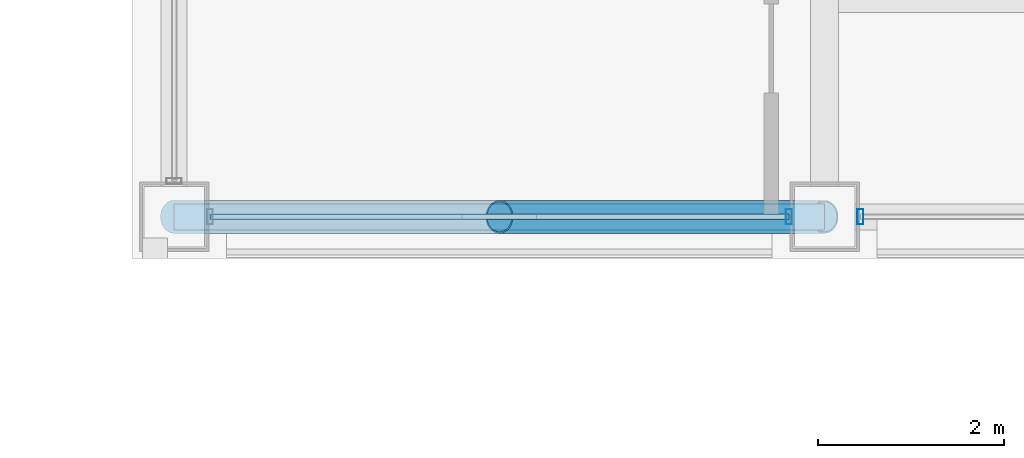
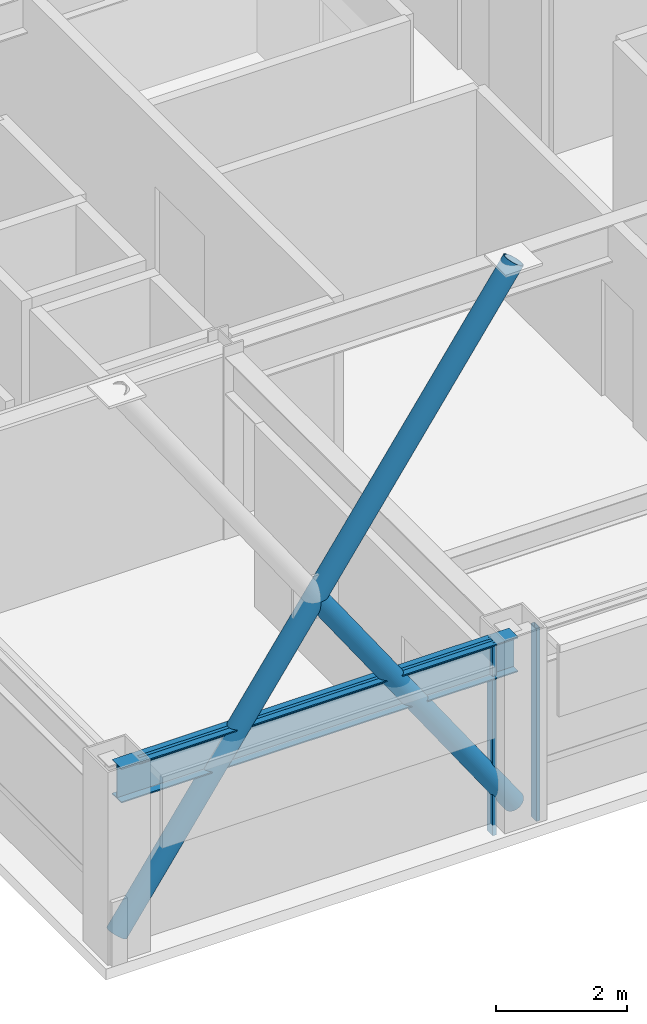
# One storey, part 3 of 32: 5 members, 1 beam, 2 elements without a shape of their own.
"""IFC4 building model written with IfcOpenShell, lengths in metres."""

from ifc_helpers import new_model, si_unit, direction, frame, origin, origin_2d, place, context, subcontext, project, spatial, hollow_rectangle, hollow_circle, i_section, extrude, material, layer, layer_set, material_profile, profile_set, type_object, element, aggregate, save


model = new_model("IFC4")

# Units and contexts
model_context = context("Model", 3, precision=1e-05, world=origin(), true_north=direction((0.0, 1.0)))
body_context = subcontext(model_context, "Body", "Model", "MODEL_VIEW")
ifc_project = project(units=[si_unit("LENGTHUNIT", "METRE"), si_unit("AREAUNIT", "SQUARE_METRE"), si_unit("VOLUMEUNIT", "CUBIC_METRE"), si_unit("PLANEANGLEUNIT", "RADIAN"), si_unit("MASSUNIT", "GRAM", prefix="KILO")], contexts=[model_context])

# Site, building, storey
site_placement = place(None, origin())
site = spatial("IfcSite", under=ifc_project, at=site_placement, CompositionType="ELEMENT")
building_placement = place(site_placement, origin())
building = spatial("IfcBuilding", under=site, at=building_placement, Name="Brelmoor Portico Tower", CompositionType="ELEMENT")
storey_placement = place(building_placement, frame((0.0, 0.0, 162.300048828125)))
storey = spatial("IfcBuildingStorey", under=building, at=storey_placement, Name="L42", CompositionType="ELEMENT", Elevation=162.300048828125)

# Beam
ifc_material_1 = material(Name="Steel Q355B", Category="steel")
ifc_material_profile_1 = material_profile(ifc_material_1, i_section(OverallWidth=0.280029296875, OverallDepth=0.64990234375, WebThickness=0.012939453125, FlangeThickness=0.02197265625, at=origin_2d()), Name="HN 650x280x13x22")
ifc_profile_set_1 = profile_set([ifc_material_profile_1], Name="Steel Q355B")
beam_type = type_object("IfcBeamType", Name="BM-SP-650", PredefinedType="SPANDREL", material=ifc_profile_set_1)
beam_placement = place(storey_placement, frame((-15.050048828125, -18.550048828125, 3.074951171875), z_axis=(1.0, 0.0, 0.0), x_axis=(0.0, 1.0, 0.0)))
element("IfcBeam", 1, at=beam_placement, inside=storey, type_object=beam_type, Name="L42 Perimeter Spandrel Beam SP-01", PredefinedType="SPANDREL", context=body_context, shape_type="SweptSolid", body=[
    extrude(i_section(OverallWidth=0.280029296875, OverallDepth=0.64990234375, WebThickness=0.012939453125, FlangeThickness=0.02197265625, at=origin_2d()), origin(), (0.0, 0.0, 1.0), 7.0),
])

# Members
ifc_material_profile_2 = material_profile(ifc_material_1, hollow_circle(Radius=0.177978515625, WallThickness=0.01611328125, at=origin_2d()), Name="CHS 356x16")
ifc_profile_set_2 = profile_set([ifc_material_profile_2], Name="Steel Q355B")
member_type_1 = type_object("IfcMemberType", Name="MB-BELT-DIAG2", PredefinedType="BRACE", material=ifc_profile_set_2)
member_1_placement = place(storey_placement, frame((-15.050048828125, -18.550048828125, 0.25), z_axis=(0.569638640345, 0.0, 0.821895260618), x_axis=(0.0, 1.0, 0.0)))
element("IfcMember", 2, at=member_1_placement, inside=storey, type_object=member_type_1, Name="L42 Continuous Mega-X Brace 091A", PredefinedType="BRACE", context=body_context, shape_type="SweptSolid", body=[
    extrude(hollow_circle(Radius=0.177978515625, WallThickness=0.01611328125, at=origin_2d()), origin(), (0.0, 0.0, 1.0), 12.28857421875),
])
member_2_placement = place(storey_placement, frame((-8.050048828125, -18.550048828125, 0.25), z_axis=(-0.569629338867, 0.0, 0.821901707203), x_axis=(0.0, -1.0, 0.0)))
element("IfcMember", 3, at=member_2_placement, inside=storey, type_object=member_type_1, Name="L42 Split Mega-X Brace 091B1", PredefinedType="BRACE", context=body_context, shape_type="SweptSolid", body=[
    extrude(hollow_circle(Radius=0.177978515625, WallThickness=0.01611328125, at=origin_2d()), origin(), (0.0, 0.0, 1.0), 6.144287109375),
])

# Curtain wall, member
ifc_material_2 = material(Name="Anodised Aluminium Alloy 6063-T6", Category="aluminium")
ifc_layer_1 = layer(ifc_material_2, 0.179931640625)
ifc_layer_set_1 = layer_set([ifc_layer_1], Name="Anodised Aluminium Alloy 6063-T6")
curtain_wall_type_1 = type_object("IfcCurtainWallType", Name="CW-TOWER-Z3-XB", PredefinedType="NOTDEFINED", material=ifc_layer_set_1)
curtain_wall_1_placement = place(storey_placement, origin())
curtain_wall_1 = element("IfcCurtainWall", 4, at=curtain_wall_1_placement, inside=storey, type_object=curtain_wall_type_1, Name="L42 Curtain Wall CW-L42-1L-1", PredefinedType="NOTDEFINED")
ifc_material_profile_3 = material_profile(ifc_material_2, hollow_rectangle(XDim=0.06494140625, YDim=0.1650390625, WallThickness=0.00390625, at=origin_2d()), Name="ALU MULLION 65x165")
ifc_profile_set_3 = profile_set([ifc_material_profile_3], Name="Anodised Aluminium Alloy 6063-T6")
member_type_2 = type_object("IfcMemberType", Name="MB-CW-MULL-165", PredefinedType="MULLION", material=ifc_profile_set_3)
member_3_placement = place(storey_placement, frame((-8.43505859375, -18.550048828125, -0.199951171875), z_axis=(0.0, 0.0, 1.0), x_axis=(1.0, 0.0, 0.0)))
member_3 = element("IfcMember", 5, at=member_3_placement, type_object=member_type_2, Name="CW-L42-1L-1 Mullion 01", PredefinedType="MULLION", context=body_context, shape_type="SweptSolid", body=[
    extrude(hollow_rectangle(XDim=0.06494140625, YDim=0.1650390625, WallThickness=0.00390625, at=origin_2d()), origin(), (0.0, 0.0, 1.0), 3.599853515625),
])

ifc_layer_2 = layer(ifc_material_2, 0.179931640625)
ifc_layer_set_2 = layer_set([ifc_layer_2], Name="Anodised Aluminium Alloy 6063-T6")
curtain_wall_type_2 = type_object("IfcCurtainWallType", Name="CW-TOWER-Z3", PredefinedType="NOTDEFINED", material=ifc_layer_set_2)
curtain_wall_2_placement = place(storey_placement, origin())
curtain_wall_2 = element("IfcCurtainWall", 6, at=curtain_wall_2_placement, inside=storey, type_object=curtain_wall_type_2, Name="L42 Curtain Wall CW-L42-1L-2", PredefinedType="NOTDEFINED")
member_4_placement = place(storey_placement, frame((-7.6650390625, -18.550048828125, -0.199951171875), z_axis=(0.0, 0.0, 1.0), x_axis=(1.0, 0.0, 0.0)))
member_4 = element("IfcMember", 7, at=member_4_placement, type_object=member_type_2, Name="CW-L42-1L-2 Mullion 00", PredefinedType="MULLION", context=body_context, shape_type="SweptSolid", body=[
    extrude(hollow_rectangle(XDim=0.06494140625, YDim=0.1650390625, WallThickness=0.00390625, at=origin_2d()), origin(), (0.0, 0.0, 1.0), 3.599853515625),
])
aggregate(curtain_wall_2, [member_4])

# Member
ifc_material_profile_4 = material_profile(ifc_material_2, hollow_rectangle(XDim=0.06005859375, YDim=0.125, WallThickness=0.00341796875, at=origin_2d()), Name="ALU TRANSOM 60x125")
ifc_profile_set_4 = profile_set([ifc_material_profile_4], Name="Anodised Aluminium Alloy 6063-T6")
member_type_3 = type_object("IfcMemberType", Name="MB-CW-TRAN-125", PredefinedType="USERDEFINED", material=ifc_profile_set_4)
member_5_placement = place(storey_placement, frame((-14.6650390625, -18.550048828125, 3.33740234375), z_axis=(1.0, 0.0, 0.0), x_axis=(0.0, 1.0, 0.0)))
member_5 = element("IfcMember", 8, at=member_5_placement, type_object=member_type_3, Name="CW-L42-1L-1 Transom 1-00", ObjectType="TRANSOM", PredefinedType="USERDEFINED", context=body_context, shape_type="SweptSolid", body=[
    extrude(hollow_rectangle(XDim=0.06005859375, YDim=0.125, WallThickness=0.00341796875, at=origin_2d()), origin(), (0.0, 0.0, 1.0), 6.22998046875),
])

aggregate(curtain_wall_1, [member_3, member_5])

save(model, "model.ifc")
